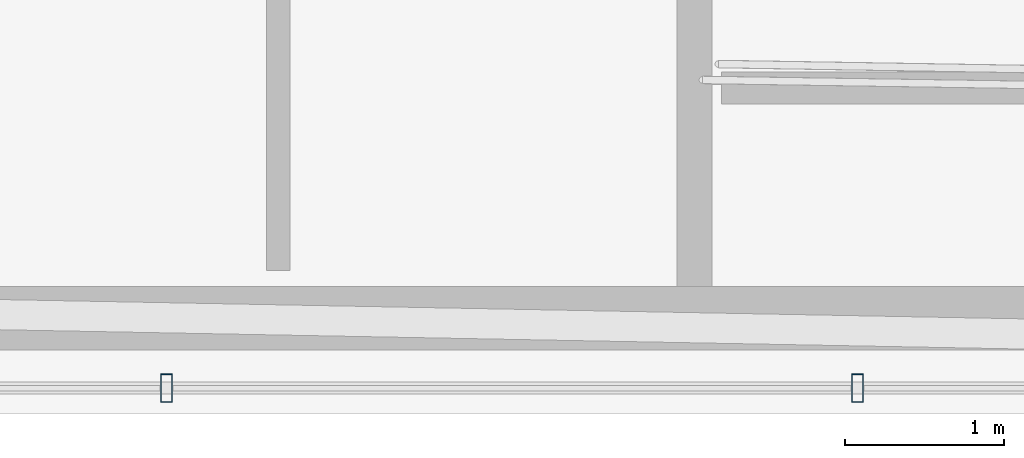
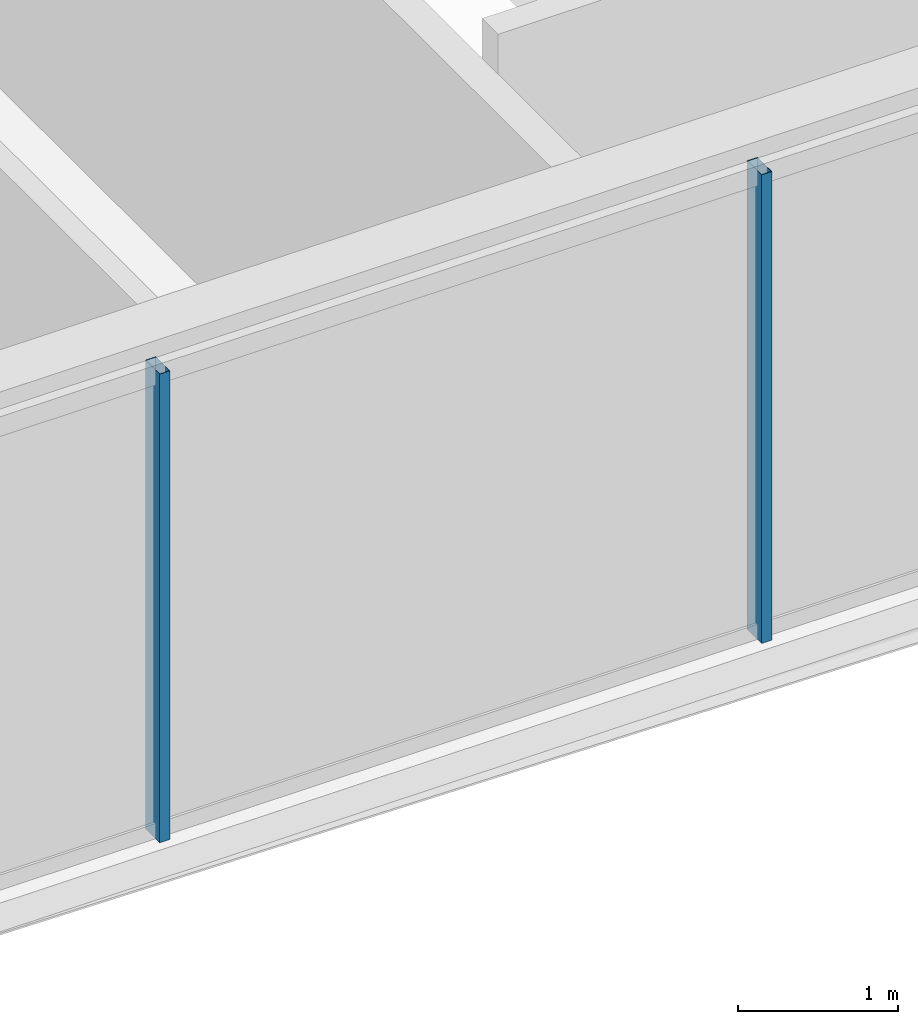
# One storey, part 6 of 29: 2 members, 1 element without a shape of its own.
"""IFC4 building model written with IfcOpenShell, lengths in metres."""

import ifcopenshell
import ifcopenshell.guid

model = None  # the IFC model being written
_history = None  # IfcOwnerHistory: only IFC2X3 demands one
_inside = {}  # id of a spatial element -> (the spatial element, [elements in it])
_under = {}  # id of a project, library or spatial element -> (it, [spatial elements below it])
_declared = {}  # id of a project -> (the project, [libraries it declares])
_typed = {}  # id of a type object -> (the type object, [elements of that type])
_made_of = {}  # id of a material, layer set ... -> (it, [elements and type objects made of it])


def new_model(schema):
    """Start an empty IFC model of exactly this schema.

    Asked for "IFC4X3", IfcOpenShell would pick the latest addendum, in which some entities
    have other attributes; the version numbers below select the first issue.
    IFC2X3 requires an IfcOwnerHistory on every rooted entity: one is made here for all.
    """
    global model, _history
    if schema == "IFC4X3":
        model = ifcopenshell.file(schema_version=(4, 3, 0, 0))
    else:
        model = ifcopenshell.file(schema=schema)
    _inside.clear()
    _under.clear()
    _declared.clear()
    _typed.clear()
    _made_of.clear()
    _history = None
    if model.schema == "IFC2X3":
        org = make("IfcOrganization", Name="unknown")
        user = make(
            "IfcPersonAndOrganization",
            ThePerson=make("IfcPerson", FamilyName="unknown"),
            TheOrganization=org,
        )
        app = make(
            "IfcApplication",
            ApplicationDeveloper=org,
            Version="unknown",
            ApplicationFullName="unknown",
            ApplicationIdentifier="unknown",
        )
        _history = make(
            "IfcOwnerHistory",
            OwningUser=user,
            OwningApplication=app,
            ChangeAction="ADDED",
            CreationDate=0,
        )
    return model


def make(cls, **values):
    """One entity of the class cls with the attributes given. An attribute that is None is left unset."""
    return model.create_entity(
        cls, **{name: value for name, value in values.items() if value is not None}
    )


def rooted(cls, **values):
    """An entity with a GlobalId (a new one), such as an element, a storey or a relation."""
    return make(cls, GlobalId=ifcopenshell.guid.new(), OwnerHistory=_history, **values)


def si_unit(unit_type, name, prefix=None):
    """IfcSIUnit, for example si_unit("LENGTHUNIT", "METRE", prefix="MILLI")."""
    return make("IfcSIUnit", UnitType=unit_type, Prefix=prefix, Name=name)


def assignment(units):
    """IfcUnitAssignment: the units of a project."""
    return None if units is None else make("IfcUnitAssignment", Units=units)


def point(xyz):
    """IfcCartesianPoint."""
    return None if xyz is None else make("IfcCartesianPoint", Coordinates=xyz)


def direction(xyz):
    """IfcDirection."""
    return None if xyz is None else make("IfcDirection", DirectionRatios=xyz)


def frame(location, z_axis=None, x_axis=None):
    """IfcAxis2Placement3D, a coordinate frame: its origin and axes. An axis left out is left unset."""
    return make(
        "IfcAxis2Placement3D",
        Location=point(location),
        Axis=direction(z_axis),
        RefDirection=direction(x_axis),
    )


def frame_2d(location, x_axis=None):
    """IfcAxis2Placement2D, a coordinate frame in the plane: its origin and x axis."""
    return make(
        "IfcAxis2Placement2D", Location=point(location), RefDirection=direction(x_axis)
    )


def origin():
    """The frame at (0, 0, 0) with its axes left unset."""
    return frame((0.0, 0.0, 0.0))


def origin_2d():
    """The frame at (0, 0) in the plane with its x axis left unset."""
    return frame_2d((0.0, 0.0))


def place(relative_to, where):
    """IfcLocalPlacement: puts the frame where relative to a parent placement (None: the world)."""
    return make(
        "IfcLocalPlacement", PlacementRelTo=relative_to, RelativePlacement=where
    )


def context(
    kind, dimensions, precision=None, world=None, true_north=None, identifier=None
):
    """IfcGeometricRepresentationContext, for example the 3D "Model" context."""
    return make(
        "IfcGeometricRepresentationContext",
        ContextIdentifier=identifier,
        ContextType=kind,
        CoordinateSpaceDimension=dimensions,
        Precision=precision,
        WorldCoordinateSystem=world,
        TrueNorth=true_north,
    )


def subcontext(parent, identifier, kind, view, scale=None):
    """IfcGeometricRepresentationSubContext, for example "Body" below "Model"."""
    return make(
        "IfcGeometricRepresentationSubContext",
        ContextIdentifier=identifier,
        ContextType=kind,
        ParentContext=parent,
        TargetScale=scale,
        TargetView=view,
    )


def project(units=None, contexts=None):
    """IfcProject with its units and contexts."""
    return rooted(
        "IfcProject",
        Name="project",
        RepresentationContexts=contexts,
        UnitsInContext=assignment(units),
    )


def spatial(cls, under=None, at=None, **own):
    """A site, building, storey or space (cls), placed at a placement, below another one or the project."""
    s = rooted(cls, ObjectPlacement=at, **own)
    if under is not None:
        _under.setdefault(under.id(), (under, []))[1].append(s)
    return s


def profile(cls, at=None, kind="AREA", **sizes):
    """A parametric profile (cls). Its sizes go by their IFC names, for example OverallWidth=200.0."""
    return make(cls, ProfileType=kind, Position=at, **sizes)


def hollow_rectangle(**sizes):
    """IfcRectangleHollowProfileDef."""
    return profile("IfcRectangleHollowProfileDef", **sizes)


def extrude(swept, where, along, depth):
    """IfcExtrudedAreaSolid: the profile swept, set in the frame where, extruded along a direction by depth."""
    return make(
        "IfcExtrudedAreaSolid",
        SweptArea=swept,
        Position=where,
        ExtrudedDirection=direction(along),
        Depth=depth,
    )


def shape(context_of_items, identifier, shape_type, items):
    """IfcShapeRepresentation: the items that make up one representation, for example the "Body"."""
    return make(
        "IfcShapeRepresentation",
        ContextOfItems=context_of_items,
        RepresentationIdentifier=identifier,
        RepresentationType=shape_type,
        Items=items,
    )


def material(Name=None, Category=None):
    """IfcMaterial."""
    return make("IfcMaterial", Name=Name, Category=Category)


def layer(
    of_material, thickness, ventilated=None, Name=None, Category=None, Priority=None
):
    """IfcMaterialLayer: one layer of a wall or slab, of a material (None: an air gap)."""
    return make(
        "IfcMaterialLayer",
        Material=of_material,
        LayerThickness=thickness,
        IsVentilated=ventilated,
        Name=Name,
        Category=Category,
        Priority=Priority,
    )


def layer_set(layers, Name=None):
    """IfcMaterialLayerSet."""
    return make("IfcMaterialLayerSet", MaterialLayers=layers, LayerSetName=Name)


def material_profile(
    of_material, cross_section, Name=None, Category=None, Priority=None
):
    """IfcMaterialProfile: a cross section and its material."""
    return make(
        "IfcMaterialProfile",
        Name=Name,
        Material=of_material,
        Profile=cross_section,
        Priority=Priority,
        Category=Category,
    )


def profile_set(profiles, Name=None, composite=None):
    """IfcMaterialProfileSet."""
    return make(
        "IfcMaterialProfileSet",
        Name=Name,
        MaterialProfiles=profiles,
        CompositeProfile=composite,
    )


def made_of(thing, what):
    """Note that an element or type object is made of a material, layer set ...; save() writes the relation."""
    if what is not None:
        _made_of.setdefault(what.id(), (what, []))[1].append(thing)
    return thing


def type_object(cls, material=None, **own):
    """A type object (cls), such as IfcWallType, which elements share."""
    return made_of(rooted(cls, **own), material)


def element(
    cls,
    number,
    at=None,
    inside=None,
    cuts=None,
    type_object=None,
    material=None,
    context=None,
    identifier="Body",
    shape_type=None,
    held_by="IfcProductDefinitionShape",
    body=None,
    shapes=None,
    **own,
):
    """One element of the class cls, such as IfcWall. Its Tag is "e" and its number.

    at: its placement. inside: the storey or other place that contains it. cuts: it is an
    opening in that element (IfcRelVoidsElement). A single representation is given by context,
    identifier, shape_type and body (its items); several are given by shapes. held_by: the class
    of the entity that holds the representations. save() writes the other relations.
    """
    e = rooted(cls, Tag="e%d" % number, ObjectPlacement=at, **own)
    if body is not None:
        shapes = [shape(context, identifier, shape_type, body)]
    if shapes is not None:
        e.Representation = make(held_by, Representations=shapes)
    if inside is not None:
        _inside.setdefault(inside.id(), (inside, []))[1].append(e)
    if cuts is not None:
        rooted(
            "IfcRelVoidsElement", RelatingBuildingElement=cuts, RelatedOpeningElement=e
        )
    if type_object is not None:
        _typed.setdefault(type_object.id(), (type_object, []))[1].append(e)
    return made_of(e, material)


def aggregate(whole, parts):
    """IfcRelAggregates: a whole, such as a stair, and the parts it consists of."""
    return rooted("IfcRelAggregates", RelatingObject=whole, RelatedObjects=parts)


def save(model, path):
    """Write the relations noted so far, then the file.

    IfcRelAggregates (storeys below a building ...), IfcRelContainedInSpatialStructure (elements
    in a storey), IfcRelDefinesByType, IfcRelAssociatesMaterial and IfcRelDeclares: one each for
    every whole, place, type object, material and project.
    """
    for whole, parts in _under.values():
        aggregate(whole, parts)
    for where, things in _inside.values():
        rooted(
            "IfcRelContainedInSpatialStructure",
            RelatedElements=things,
            RelatingStructure=where,
        )
    for kind, things in _typed.values():
        rooted("IfcRelDefinesByType", RelatedObjects=things, RelatingType=kind)
    for what, things in _made_of.values():
        rooted("IfcRelAssociatesMaterial", RelatedObjects=things, RelatingMaterial=what)
    for by, libraries in _declared.values():
        rooted("IfcRelDeclares", RelatingContext=by, RelatedDefinitions=libraries)
    model.write(path)


model = new_model("IFC4")

# Units and contexts
model_context = context("Model", 3, precision=1e-05, world=origin(), true_north=direction((0.0, 1.0)))
body_context = subcontext(model_context, "Body", "Model", "MODEL_VIEW")
ifc_project = project(units=[si_unit("LENGTHUNIT", "METRE"), si_unit("AREAUNIT", "SQUARE_METRE"), si_unit("VOLUMEUNIT", "CUBIC_METRE"), si_unit("PLANEANGLEUNIT", "RADIAN"), si_unit("MASSUNIT", "GRAM", prefix="KILO")], contexts=[model_context])

# Site, building, storey
site_placement = place(None, origin())
site = spatial("IfcSite", under=ifc_project, at=site_placement, CompositionType="ELEMENT")
building_placement = place(site_placement, origin())
building = spatial("IfcBuilding", under=site, at=building_placement, Name="Ndaravel Arena Tower", CompositionType="ELEMENT")
storey_placement = place(building_placement, frame((0.0, 0.0, 237.0)))
storey = spatial("IfcBuildingStorey", under=building, at=storey_placement, Name="L57", CompositionType="ELEMENT", Elevation=237.0)

# Curtain wall, members
ifc_material_1 = material(Name="Aluminium", Category="aluminium")
ifc_layer = layer(ifc_material_1, 0.179931640625)
ifc_layer_set = layer_set([ifc_layer], Name="Aluminium")
curtain_wall_type = type_object("IfcCurtainWallType", Name="CW-SYS-03", PredefinedType="NOTDEFINED", material=ifc_layer_set)
curtain_wall_placement = place(storey_placement, origin())
curtain_wall = element("IfcCurtainWall", 1, at=curtain_wall_placement, inside=storey, type_object=curtain_wall_type, Name="L57 Faceted Crystal Curtain Wall CW-L57-E01", PredefinedType="NOTDEFINED")
ifc_material_2 = material(Name="Aluminium", Category="aluminium")
ifc_material_profile = material_profile(ifc_material_2, hollow_rectangle(XDim=0.074951171875, YDim=0.179931640625, WallThickness=0.00390625, at=origin_2d()), Name="CW MULLION 75x180x4")
ifc_profile_set = profile_set([ifc_material_profile], Name="Aluminium")
member_type = type_object("IfcMemberType", Name="MEM-CW-MUL180", PredefinedType="MULLION", material=ifc_profile_set)
member_1_placement = place(storey_placement, frame((35.47705078125, 5.159912109375, 0.0), z_axis=(0.0, 0.0, 1.0), x_axis=(1.0, 0.0, 0.0)))
member_1 = element("IfcMember", 2, at=member_1_placement, type_object=member_type, Name="CW-L57-E01 Mullion 03", PredefinedType="MULLION", context=body_context, shape_type="SweptSolid", body=[
    extrude(hollow_rectangle(XDim=0.074951171875, YDim=0.179931640625, WallThickness=0.00390625, at=origin_2d()), origin(), (0.0, 0.0, 1.0), 3.580078125),
])
member_2_placement = place(storey_placement, frame((39.82568359375, 5.159912109375, 0.0), z_axis=(0.0, 0.0, 1.0), x_axis=(1.0, 0.0, 0.0)))
member_2 = element("IfcMember", 3, at=member_2_placement, type_object=member_type, Name="CW-L57-E01 Mullion 04", PredefinedType="MULLION", context=body_context, shape_type="SweptSolid", body=[
    extrude(hollow_rectangle(XDim=0.074951171875, YDim=0.179931640625, WallThickness=0.00390625, at=origin_2d()), origin(), (0.0, 0.0, 1.0), 3.580078125),
])
aggregate(curtain_wall, [member_1, member_2])

save(model, "model.ifc")
